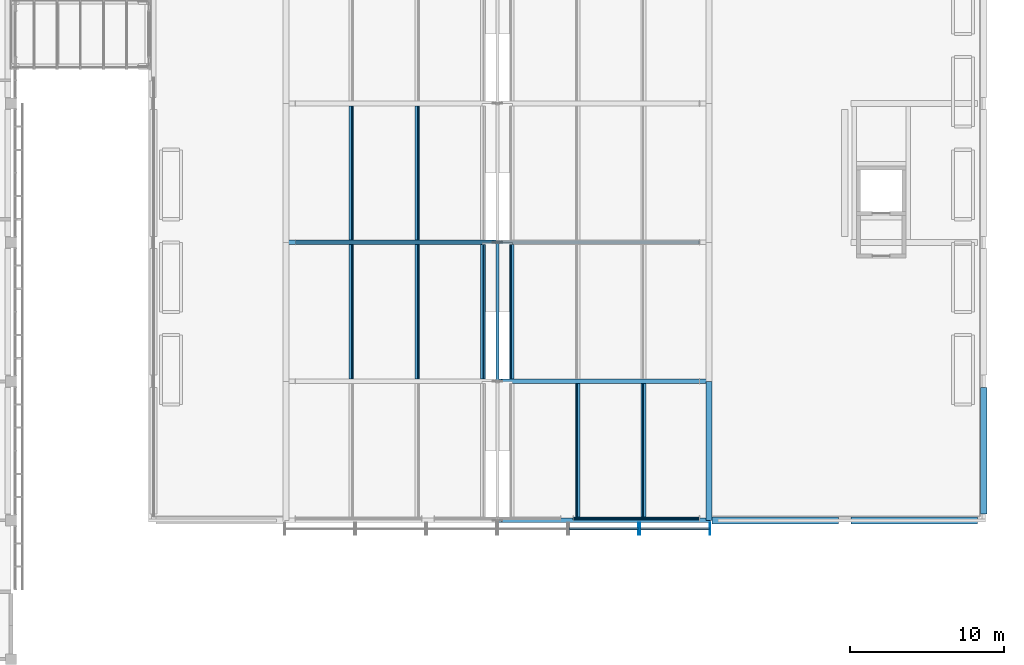
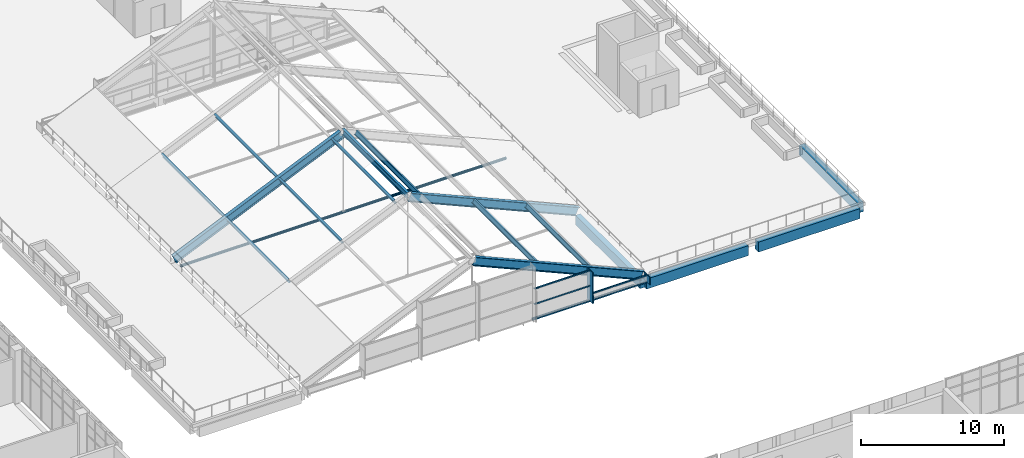
# One storey, part 40 of 106: 19 members, 7 beams, 2 elements without a shape of their own.
"""IFC4 building model written with IfcOpenShell, lengths in metres."""

from ifc_helpers import new_model, si_unit, direction, frame, origin, origin_2d, place, context, subcontext, project, spatial, rectangle, hollow_circle, i_section, extrude, material, layer, layer_set, material_profile, profile_set, type_object, element, aggregate, save


model = new_model("IFC4")

# Units and contexts
model_context = context("Model", 3, precision=1e-05, world=origin(), true_north=direction((0.0, 1.0)))
body_context = subcontext(model_context, "Body", "Model", "MODEL_VIEW")
ifc_project = project(units=[si_unit("LENGTHUNIT", "METRE"), si_unit("AREAUNIT", "SQUARE_METRE"), si_unit("VOLUMEUNIT", "CUBIC_METRE"), si_unit("PLANEANGLEUNIT", "RADIAN"), si_unit("MASSUNIT", "GRAM", prefix="KILO")], contexts=[model_context])

# Site, building, storey
site_placement = place(None, origin())
site = spatial("IfcSite", under=ifc_project, at=site_placement, CompositionType="ELEMENT")
building_placement = place(site_placement, origin())
building = spatial("IfcBuilding", under=site, at=building_placement, Name="Guidao Yard Department Store", CompositionType="ELEMENT")
storey_placement = place(building_placement, frame((0.0, 0.0, 10.5)))
storey = spatial("IfcBuildingStorey", under=building, at=storey_placement, Name="L02", CompositionType="ELEMENT", Elevation=10.5)

# Members
ifc_material_1 = material(Name="Steel Q355B", Category="steel")
ifc_material_profile_1 = material_profile(ifc_material_1, hollow_circle(Radius=0.109619140625, WallThickness=0.010009765625, at=origin_2d()), Name="CHS 219x10")
ifc_profile_set_1 = profile_set([ifc_material_profile_1], Name="Steel Q355B")
member_type_1 = type_object("IfcMemberType", Name="CHS 219x10", PredefinedType="BRACE", material=ifc_profile_set_1)
member_1_placement = place(storey_placement, frame((144.39990234375, 54.1201171875, -0.449951171875), z_axis=(1.0, 0.0, 0.0), x_axis=(0.0, 1.0, 0.0)))
element("IfcMember", 1, at=member_1_placement, inside=storey, type_object=member_type_1, Name="Roof tie rod F01-3", PredefinedType="BRACE", context=body_context, shape_type="SweptSolid", body=[
    extrude(hollow_circle(Radius=0.109619140625, WallThickness=0.010009765625, at=origin_2d()), origin(), (0.0, 0.0, 1.0), 8.2001953125),
])
member_2_placement = place(storey_placement, frame((126.39990234375, 72.0, -0.449951171875), z_axis=(1.0, 0.0, 0.0), x_axis=(0.0, 1.0, 0.0)))
element("IfcMember", 2, at=member_2_placement, inside=storey, type_object=member_type_1, Name="Roof tie rod F03", PredefinedType="BRACE", context=body_context, shape_type="SweptSolid", body=[
    extrude(hollow_circle(Radius=0.109619140625, WallThickness=0.010009765625, at=origin_2d()), origin(), (0.0, 0.0, 1.0), 26.2001953125),
])

# Beams
ifc_material_2 = material(Name="Concrete C40", Category="concrete")
ifc_material_profile_2 = material_profile(ifc_material_2, rectangle(XDim=0.449951171875, YDim=0.85009765625, at=origin_2d()), Name="Garden roof spandrel beam 450 x 850 C40")
ifc_profile_set_2 = profile_set([ifc_material_profile_2], Name="Concrete C40")
beam_type_1 = type_object("IfcBeamType", Name="Garden roof spandrel beam 450 x 850 C40", PredefinedType="SPANDREL", material=ifc_profile_set_2)
for number, where, z_axis, x_axis, name in (
    (3, (171.0, 54.39990234375, -0.425048828125), (0.0, 1.0, 0.0), (-1.0, 0.0, 0.0), "Beam EB96"),
    (4, (153.39990234375, 54.0, -0.425048828125), (1.0, 0.0, 0.0), (0.0, 1.0, 0.0), "Beam EB101"),
    (5, (162.39990234375, 54.0, -0.425048828125), (1.0, 0.0, 0.0), (0.0, 1.0, 0.0), "Beam EB102"),
):
    element("IfcBeam", number, at=place(storey_placement, frame(where, z_axis=z_axis, x_axis=x_axis)), inside=storey, type_object=beam_type_1, Name=name, PredefinedType="SPANDREL", context=body_context, shape_type="SweptSolid", body=[
        extrude(rectangle(XDim=0.449951171875, YDim=0.85009765625, at=origin_2d()), origin(), (0.0, 0.0, 1.0), 8.2001953125),
    ])

# Members
ifc_material_3 = material(Name="Steel Q355B", Category="steel")
ifc_material_profile_3 = material_profile(ifc_material_3, i_section(OverallWidth=0.175048828125, OverallDepth=0.35009765625, WebThickness=0.007080078125, FlangeThickness=0.010986328125, FilletRadius=0.012939453125, at=origin_2d()), Name="HN 350x175x7x11")
ifc_profile_set_3 = profile_set([ifc_material_profile_3], Name="Steel Q355B")
member_type_2 = type_object("IfcMemberType", Name="HN 350x175x7x11", PredefinedType="PURLIN", material=ifc_profile_set_3)
for number, where, z_axis, x_axis, name in (
    (6, (130.039306640625, 63.14990234375, 2.354736328125), (0.0, 1.0, 0.0), (-0.915526159115, 0.0, -0.402258439285), "Roof purlin F02-01"),
    (7, (130.039306640625, 72.14990234375, 2.354736328125), (0.0, 1.0, 0.0), (-0.915526159115, 0.0, -0.402258439285), "Roof purlin F03-01"),
    (8, (134.304931640625, 63.14990234375, 4.22900390625), (0.0, 1.0, 0.0), (-0.915526159115, 0.0, -0.402258439285), "Roof purlin F02-02"),
    (9, (134.304931640625, 72.14990234375, 4.22900390625), (0.0, 1.0, 0.0), (-0.915526159115, 0.0, -0.402258439285), "Roof purlin F03-02"),
    (10, (138.5703125, 63.14990234375, 6.10302734375), (0.0, 1.0, 0.0), (-0.915526159115, 0.0, -0.402258439285), "Roof purlin F02-03"),
    (11, (140.4296875, 63.14990234375, 6.10302734375), (0.0, 1.0, 0.0), (-0.915526159115, 0.0, 0.402258439285), "Roof purlin F02-05"),
    (12, (144.695068359375, 54.14990234375, 4.22900390625), (0.0, 1.0, 0.0), (-0.915526159115, 0.0, 0.402258439285), "Roof purlin F01-06"),
    (13, (148.960693359375, 54.14990234375, 2.354736328125), (0.0, 1.0, 0.0), (-0.915526159115, 0.0, 0.402258439285), "Roof purlin F01-07"),
):
    element("IfcMember", number, at=place(storey_placement, frame(where, z_axis=z_axis, x_axis=x_axis)), inside=storey, type_object=member_type_2, Name=name, PredefinedType="PURLIN", context=body_context, shape_type="SweptSolid", body=[
        extrude(i_section(OverallWidth=0.175048828125, OverallDepth=0.35009765625, WebThickness=0.007080078125, FlangeThickness=0.010986328125, FilletRadius=0.012939453125, at=origin_2d()), origin(), (0.0, 0.0, 1.0), 8.7001953125),
    ])
ifc_material_4 = material(Name="Steel Q355B", Category="steel")
ifc_material_profile_4 = material_profile(ifc_material_4, i_section(OverallWidth=0.199951171875, OverallDepth=0.5, WebThickness=0.010009765625, FlangeThickness=0.01611328125, FilletRadius=0.012939453125, at=origin_2d()), Name="HN 500x200x10x16")
ifc_profile_set_4 = profile_set([ifc_material_profile_4], Name="Steel Q355B")
member_type_3 = type_object("IfcMemberType", Name="HN 500x200x10x16", PredefinedType="PURLIN", material=ifc_profile_set_4)
member_3_placement = place(storey_placement, frame((139.5, 63.0, 6.415771484375), z_axis=(0.0, 1.0, 0.0), x_axis=(-1.0, 0.0, 0.0)))
element("IfcMember", 14, at=member_3_placement, inside=storey, type_object=member_type_3, Name="Roof ridge purlin F02-04", PredefinedType="PURLIN", context=body_context, shape_type="SweptSolid", body=[
    extrude(i_section(OverallWidth=0.199951171875, OverallDepth=0.5, WebThickness=0.010009765625, FlangeThickness=0.01611328125, FilletRadius=0.012939453125, at=origin_2d()), origin(), (0.0, 0.0, 1.0), 9.0),
])

# Beams
ifc_material_5 = material(Name="Steel Q355B", Category="steel")
ifc_material_profile_5 = material_profile(ifc_material_5, i_section(OverallWidth=0.300048828125, OverallDepth=0.699951171875, WebThickness=0.012939453125, FlangeThickness=0.02392578125, FilletRadius=0.01806640625, at=origin_2d()), Name="HN 700x300x13x24")
ifc_profile_set_5 = profile_set([ifc_material_profile_5], Name="Steel Q355B")
beam_type_2 = type_object("IfcBeamType", Name="HN 700x300x13x24", PredefinedType="BEAM", material=ifc_profile_set_5)
for number, where, z_axis, x_axis, name in (
    (15, (139.640869140625, 54.0, 6.258544921875), (0.915522684048, 0.0, -0.402266348323), (0.0, 1.0, 0.0), "Roof rib F01-02"),
    (16, (139.640869140625, 63.0, 6.258544921875), (0.915522684048, 0.0, -0.402266348323), (0.0, 1.0, 0.0), "Roof rib F02-02"),
    (17, (125.84423828125, 72.0, 0.3203125), (0.915522684048, 0.0, 0.402266348323), (0.0, 1.0, 0.0), "Roof rib F03-01"),
):
    element("IfcBeam", number, at=place(storey_placement, frame(where, z_axis=z_axis, x_axis=x_axis)), inside=storey, type_object=beam_type_2, Name=name, PredefinedType="BEAM", context=body_context, shape_type="SweptSolid", body=[
        extrude(i_section(OverallWidth=0.300048828125, OverallDepth=0.699951171875, WebThickness=0.012939453125, FlangeThickness=0.02392578125, FilletRadius=0.01806640625, at=origin_2d()), origin(), (0.0, 0.0, 1.0), 14.761962890625),
    ])

# Curtain wall, member
ifc_material_6 = material(Name="Aluminium and glass", Category="aluminium")
ifc_layer = layer(ifc_material_6, 0.159912109375)
ifc_layer_set = layer_set([ifc_layer], Name="Gable glazing CW7 1500 module")
curtain_wall_type = type_object("IfcCurtainWallType", Name="Gable glazing CW7 1500 module", PredefinedType="NOTDEFINED", material=ifc_layer_set)
curtain_wall_1_placement = place(storey_placement, origin())
curtain_wall_1 = element("IfcCurtainWall", 18, at=curtain_wall_1_placement, inside=storey, type_object=curtain_wall_type, Name="Gable glazing FS5", PredefinedType="NOTDEFINED")
ifc_material_7 = material(Name="Aluminium 6063-T5", Category="aluminium")
ifc_material_profile_6 = material_profile(ifc_material_7, rectangle(XDim=0.06005859375, YDim=0.780029296875, at=origin_2d()), Name="Mullion M3 60 x 780 aluminium pressure plate")
ifc_profile_set_6 = profile_set([ifc_material_profile_6], Name="Aluminium 6063-T5")
member_type_4 = type_object("IfcMemberType", Name="Mullion M3 60 x 780 aluminium pressure plate", PredefinedType="MULLION", material=ifc_profile_set_6)
member_4_placement = place(storey_placement, frame((148.667724609375, 53.4599609375, 0.0), z_axis=(0.0, 0.0, 1.0), x_axis=(-1.0, 0.0, 0.0)))
member_4 = element("IfcMember", 19, at=member_4_placement, type_object=member_type_4, Name="CW-TFS5 mullion 2", PredefinedType="MULLION", context=body_context, shape_type="SweptSolid", body=[
    extrude(rectangle(XDim=0.06005859375, YDim=0.780029296875, at=origin_2d()), origin(), (0.0, 0.0, 1.0), 2.661376953125),
])

# Curtain wall, members
curtain_wall_2_placement = place(storey_placement, origin())
curtain_wall_2 = element("IfcCurtainWall", 20, at=curtain_wall_2_placement, inside=storey, type_object=curtain_wall_type, Name="Gable glazing FS6", PredefinedType="NOTDEFINED")
member_5_placement = place(storey_placement, frame((148.727783203125, 53.4599609375, 0.0), z_axis=(0.0, 0.0, 1.0), x_axis=(-1.0, 0.0, 0.0)))
member_5 = element("IfcMember", 21, at=member_5_placement, type_object=member_type_4, Name="CW-TFS6 mullion 1", PredefinedType="MULLION", context=body_context, shape_type="SweptSolid", body=[
    extrude(rectangle(XDim=0.06005859375, YDim=0.780029296875, at=origin_2d()), origin(), (0.0, 0.0, 1.0), 0.640869140625),
])
member_6_placement = place(storey_placement, frame((153.2666015625, 53.4599609375, 0.0), z_axis=(0.0, 0.0, 1.0), x_axis=(-1.0, 0.0, 0.0)))
member_6 = element("IfcMember", 22, at=member_6_placement, type_object=member_type_4, Name="CW-TFS6 mullion 2", PredefinedType="MULLION", context=body_context, shape_type="SweptSolid", body=[
    extrude(rectangle(XDim=0.06005859375, YDim=0.780029296875, at=origin_2d()), origin(), (0.0, 0.0, 1.0), 0.640869140625),
])

# Member
ifc_material_8 = material(Name="Aluminium 6063-T5", Category="aluminium")
ifc_material_profile_7 = material_profile(ifc_material_8, rectangle(XDim=0.1201171875, YDim=0.06005859375, at=origin_2d()), Name="Transom T1 60 x 120 aluminium pressure plate")
ifc_profile_set_7 = profile_set([ifc_material_profile_7], Name="Aluminium 6063-T5")
member_type_5 = type_object("IfcMemberType", Name="Transom T1 60 x 120 aluminium pressure plate", PredefinedType="USERDEFINED", material=ifc_profile_set_7)
member_7_placement = place(storey_placement, frame((148.6376953125, 53.4599609375, 0.030029296875), z_axis=(-1.0, 0.0, 0.0), x_axis=(0.0, -1.0, 0.0)))
member_7 = element("IfcMember", 23, at=member_7_placement, type_object=member_type_5, Name="CW-TFS5 transom 1.1", ObjectType="TRANSOM", PredefinedType="USERDEFINED", context=body_context, shape_type="SweptSolid", body=[
    extrude(rectangle(XDim=0.1201171875, YDim=0.06005859375, at=origin_2d()), origin(), (0.0, 0.0, 1.0), 4.478759765625),
])

member_8_placement = place(storey_placement, frame((148.6376953125, 53.4599609375, 1.330810546875), z_axis=(-1.0, 0.0, 0.0), x_axis=(0.0, -1.0, 0.0)))
member_8 = element("IfcMember", 24, at=member_8_placement, type_object=member_type_5, Name="CW-TFS5 transom 1.2", ObjectType="TRANSOM", PredefinedType="USERDEFINED", context=body_context, shape_type="SweptSolid", body=[
    extrude(rectangle(XDim=0.1201171875, YDim=0.06005859375, at=origin_2d()), origin(), (0.0, 0.0, 1.0), 4.478759765625),
])

member_9_placement = place(storey_placement, frame((148.6376953125, 53.4599609375, 2.631591796875), z_axis=(-1.0, 0.0, 0.0), x_axis=(0.0, -1.0, 0.0)))
member_9 = element("IfcMember", 25, at=member_9_placement, type_object=member_type_5, Name="CW-TFS5 transom 1.3", ObjectType="TRANSOM", PredefinedType="USERDEFINED", context=body_context, shape_type="SweptSolid", body=[
    extrude(rectangle(XDim=0.1201171875, YDim=0.06005859375, at=origin_2d()), origin(), (0.0, 0.0, 1.0), 4.478759765625),
])

aggregate(curtain_wall_1, [member_4, member_7, member_8, member_9])

member_10_placement = place(storey_placement, frame((153.236572265625, 53.4599609375, 0.030029296875), z_axis=(-1.0, 0.0, 0.0), x_axis=(0.0, -1.0, 0.0)))
member_10 = element("IfcMember", 26, at=member_10_placement, type_object=member_type_5, Name="CW-TFS6 transom 1.1", ObjectType="TRANSOM", PredefinedType="USERDEFINED", context=body_context, shape_type="SweptSolid", body=[
    extrude(rectangle(XDim=0.1201171875, YDim=0.06005859375, at=origin_2d()), origin(), (0.0, 0.0, 1.0), 4.478759765625),
])

member_11_placement = place(storey_placement, frame((153.236572265625, 53.4599609375, 0.61083984375), z_axis=(-1.0, 0.0, 0.0), x_axis=(0.0, -1.0, 0.0)))
member_11 = element("IfcMember", 27, at=member_11_placement, type_object=member_type_5, Name="CW-TFS6 transom 1.2", ObjectType="TRANSOM", PredefinedType="USERDEFINED", context=body_context, shape_type="SweptSolid", body=[
    extrude(rectangle(XDim=0.1201171875, YDim=0.06005859375, at=origin_2d()), origin(), (0.0, 0.0, 1.0), 4.478759765625),
])

aggregate(curtain_wall_2, [member_5, member_6, member_10, member_11])

# Beam
ifc_material_9 = material(Name="Concrete C40", Category="concrete")
ifc_material_profile_8 = material_profile(ifc_material_9, rectangle(XDim=0.39990234375, YDim=0.800048828125, at=origin_2d()), Name="Vault bearing beam 400 x 800 C40")
ifc_profile_set_8 = profile_set([ifc_material_profile_8], Name="Concrete C40")
beam_type_3 = type_object("IfcBeamType", Name="Vault bearing beam 400 x 800 C40", PredefinedType="BEAM", material=ifc_profile_set_8)
beam_placement = place(storey_placement, frame((153.199951171875, 54.0, -0.39990234375), z_axis=(0.0, 1.0, 0.0), x_axis=(-1.0, 0.0, 0.0)))
element("IfcBeam", 28, at=beam_placement, inside=storey, type_object=beam_type_3, Name="Beam VB01", PredefinedType="BEAM", context=body_context, shape_type="SweptSolid", body=[
    extrude(rectangle(XDim=0.39990234375, YDim=0.800048828125, at=origin_2d()), origin(), (0.0, 0.0, 1.0), 9.0),
])

save(model, "model.ifc")
